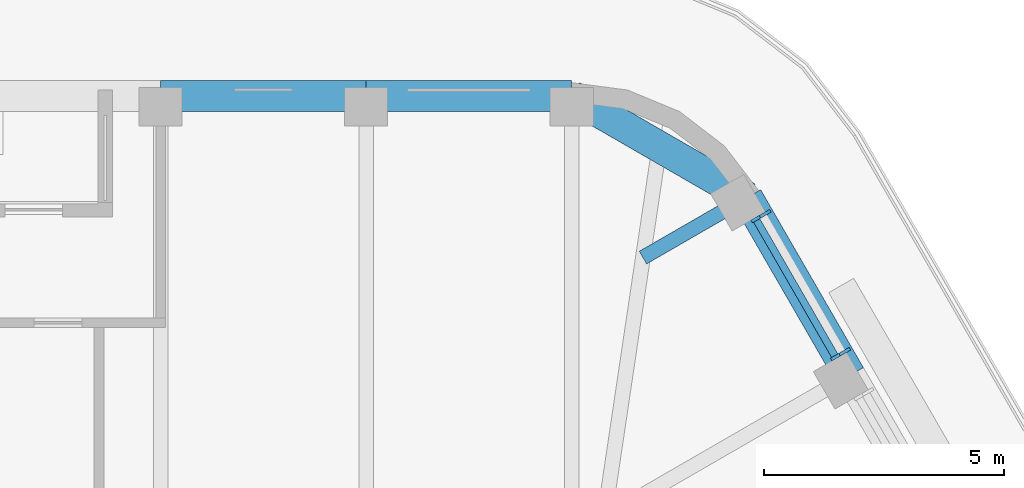
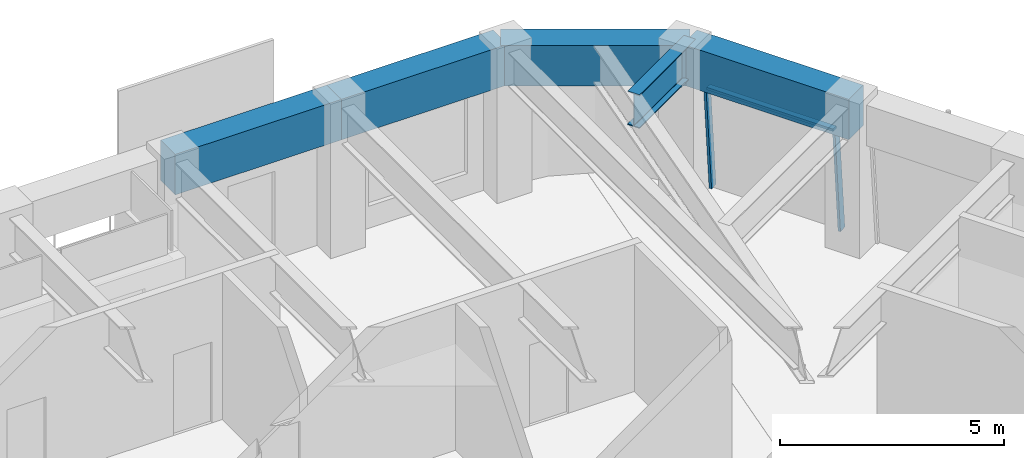
# One storey, part 11 of 19: 5 beams, 3 members, 1 element without a shape of its own.
"""IFC4 building model written with IfcOpenShell, lengths in metres."""

from ifc_helpers import new_model, si_unit, direction, frame, origin, origin_2d, place, context, subcontext, project, spatial, rectangle, i_section, extrude, material, material_profile, profile_set, type_object, element, aggregate, save


model = new_model("IFC4")

# Units and contexts
model_context = context("Model", 3, precision=1e-05, world=origin(), true_north=direction((0.0, 1.0)))
body_context = subcontext(model_context, "Body", "Model", "MODEL_VIEW")
ifc_project = project(units=[si_unit("LENGTHUNIT", "METRE"), si_unit("AREAUNIT", "SQUARE_METRE"), si_unit("VOLUMEUNIT", "CUBIC_METRE"), si_unit("PLANEANGLEUNIT", "RADIAN"), si_unit("MASSUNIT", "GRAM", prefix="KILO")], contexts=[model_context])

# Site, building, storey
site_placement = place(None, origin())
site = spatial("IfcSite", under=ifc_project, at=site_placement, CompositionType="ELEMENT")
building_placement = place(site_placement, origin())
building = spatial("IfcBuilding", under=site, at=building_placement, Name="Tarfa Lantern Tower", CompositionType="ELEMENT")
storey_placement = place(building_placement, frame((0.0, 0.0, 366.10009765625)))
storey = spatial("IfcBuildingStorey", under=building, at=storey_placement, Name="L83", CompositionType="ELEMENT", Elevation=366.10009765625)

# Curtain wall, members
ifc_material_1 = material(Name="Aluminium framed curtain wall", Category="aluminium")
curtain_wall_type = type_object("IfcCurtainWallType", Name="CW4 CANTED GLAZING EXECUTIVE ZONE 2900", PredefinedType="USERDEFINED", material=ifc_material_1)
curtain_wall_placement = place(storey_placement, origin())
curtain_wall = element("IfcCurtainWall", 1, at=curtain_wall_placement, inside=storey, type_object=curtain_wall_type, Name="CW4 NE L83", ObjectType="CURTAIN WALL", PredefinedType="USERDEFINED")
ifc_material_2 = material(Name="Aluminium mullion", Category="aluminium")
ifc_material_profile_1 = material_profile(ifc_material_2, rectangle(XDim=0.06494140625, YDim=0.199951171875, at=origin_2d()), Name="AL MULLION 65x200")
ifc_profile_set_1 = profile_set([ifc_material_profile_1], Name="Aluminium mullion")
member_type_1 = type_object("IfcMemberType", Name="CWM1 MULLION 65x200", PredefinedType="MULLION", material=ifc_profile_set_1)
member_1_placement = place(storey_placement, frame((18.556396484375, 21.159423828125, 0.0), z_axis=(-0.074399820079, -0.042945555672, 0.996303340364), x_axis=(0.499919672301, -0.866071776036, 0.0)))
member_1 = element("IfcMember", 2, at=member_1_placement, type_object=member_type_1, Name="CW4 mullion 1", PredefinedType="MULLION", context=body_context, shape_type="SweptSolid", body=[
    extrude(rectangle(XDim=0.06494140625, YDim=0.199951171875, at=origin_2d()), origin(), (0.0, 0.0, 1.0), 2.91064453125),
])
member_2_placement = place(storey_placement, frame((16.897705078125, 24.0322265625, 0.0), z_axis=(-0.074316405553, -0.042945823525, 0.996309554359), x_axis=(0.500342721131, -0.865827443207, 0.0)))
member_2 = element("IfcMember", 3, at=member_2_placement, type_object=member_type_1, Name="CW4 mullion 2", PredefinedType="MULLION", context=body_context, shape_type="SweptSolid", body=[
    extrude(rectangle(XDim=0.06494140625, YDim=0.199951171875, at=origin_2d()), origin(), (0.0, 0.0, 1.0), 2.91064453125),
])
ifc_material_3 = material(Name="Aluminium transom", Category="aluminium")
ifc_material_profile_2 = material_profile(ifc_material_3, rectangle(XDim=0.14990234375, YDim=0.06494140625, at=origin_2d()), Name="AL TRANSOM 150x65")
ifc_profile_set_2 = profile_set([ifc_material_profile_2], Name="Aluminium transom")
member_type_2 = type_object("IfcMemberType", Name="CWT1 TRANSOM 150x65", PredefinedType="USERDEFINED", material=ifc_profile_set_2)
member_3_placement = place(storey_placement, frame((18.325927734375, 21.06396484375, 2.867431640625), z_axis=(-0.499982393232, 0.866035568818, 0.0), x_axis=(-0.866035568818, -0.499982393232, 0.0)))
member_3 = element("IfcMember", 4, at=member_3_placement, type_object=member_type_2, Name="CW4 transom 1.2", ObjectType="TRANSOM", PredefinedType="USERDEFINED", context=body_context, shape_type="SweptSolid", body=[
    extrude(rectangle(XDim=0.14990234375, YDim=0.06494140625, at=origin_2d()), origin(), (0.0, 0.0, 1.0), 3.251953125),
])
aggregate(curtain_wall, [member_1, member_2, member_3])

# Beams
ifc_material_4 = material(Name="Concrete C80/95", Category="concrete")
ifc_material_profile_3 = material_profile(ifc_material_4, rectangle(XDim=0.64990234375, YDim=1.10009765625, at=origin_2d()), Name="RC 650x1100")
ifc_profile_set_3 = profile_set([ifc_material_profile_3], Name="Concrete C80/95")
beam_type_1 = type_object("IfcBeamType", Name="EB4 RC 650x1100", PredefinedType="SPANDREL", material=ifc_profile_set_3)
beam_1_placement = place(storey_placement, frame((18.6416015625, 20.651611328125, 3.449951171875), z_axis=(-0.499959351497, 0.866048870937, 0.0), x_axis=(-0.866048870937, -0.499959351497, 0.0)))
element("IfcBeam", 5, at=beam_1_placement, inside=storey, type_object=beam_type_1, Name="Edge beam NE5", PredefinedType="SPANDREL", context=body_context, shape_type="SweptSolid", body=[
    extrude(rectangle(XDim=0.64990234375, YDim=1.10009765625, at=origin_2d()), origin(), (0.0, 0.0, 1.0), 4.281982421875),
])
beam_2_placement = place(storey_placement, frame((16.500732421875, 24.360107421875, 3.449951171875), z_axis=(-0.866048788483, 0.499959494327, 0.0), x_axis=(-0.499959494327, -0.866048788483, 0.0)))
element("IfcBeam", 6, at=beam_2_placement, inside=storey, type_object=beam_type_1, Name="Edge beam NE6", PredefinedType="SPANDREL", context=body_context, shape_type="SweptSolid", body=[
    extrude(rectangle(XDim=0.64990234375, YDim=1.10009765625, at=origin_2d()), origin(), (0.0, 0.0, 1.0), 4.219970703125),
])
for number, where, z_axis, x_axis, name in (
    (7, (12.845947265625, 26.469970703125, 3.449951171875), (-1.0, 0.0, 0.0), (0.0, -1.0, 0.0), "Edge beam N0"),
    (8, (8.56396484375, 26.469970703125, 3.449951171875), (-1.0, 0.0, 0.0), (0.0, -1.0, 0.0), "Edge beam N1"),
):
    element("IfcBeam", number, at=place(storey_placement, frame(where, z_axis=z_axis, x_axis=x_axis)), inside=storey, type_object=beam_type_1, Name=name, PredefinedType="SPANDREL", context=body_context, shape_type="SweptSolid", body=[
        extrude(rectangle(XDim=0.64990234375, YDim=1.10009765625, at=origin_2d()), origin(), (0.0, 0.0, 1.0), 4.281982421875),
    ])
ifc_material_5 = material(Name="Steel S460M", Category="steel")
ifc_material_profile_4 = material_profile(ifc_material_5, i_section(OverallWidth=0.305419921875, OverallDepth=0.91845703125, WebThickness=0.017333984375, FlangeThickness=0.02783203125, FilletRadius=0.01904296875, at=origin_2d()), Name="UB914x305x253")
ifc_profile_set_4 = profile_set([ifc_material_profile_4], Name="Steel S460M")
beam_type_2 = type_object("IfcBeamType", Name="UB914x305x253", PredefinedType="BEAM", material=ifc_profile_set_4)
beam_3_placement = place(storey_placement, frame((16.500732421875, 24.360107421875, 3.540771484375), z_axis=(-0.865992557167, -0.500056887695, 0.0), x_axis=(0.500056887695, -0.865992557167, 0.0)))
element("IfcBeam", 9, at=beam_3_placement, inside=storey, type_object=beam_type_2, Name="Floor beam NE6", PredefinedType="BEAM", context=body_context, shape_type="SweptSolid", body=[
    extrude(i_section(OverallWidth=0.305419921875, OverallDepth=0.91845703125, WebThickness=0.017333984375, FlangeThickness=0.02783203125, FilletRadius=0.01904296875, at=origin_2d()), origin(), (0.0, 0.0, 1.0), 2.506591796875),
])

save(model, "model.ifc")
